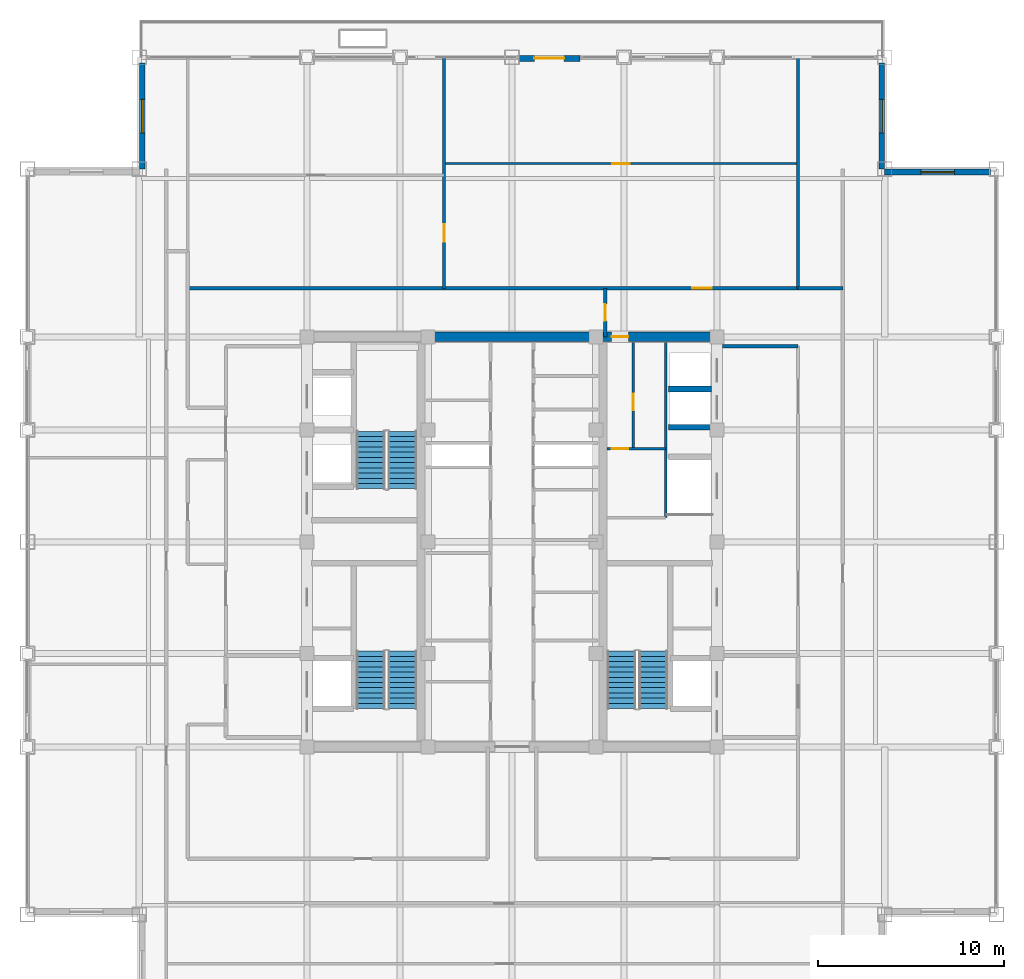
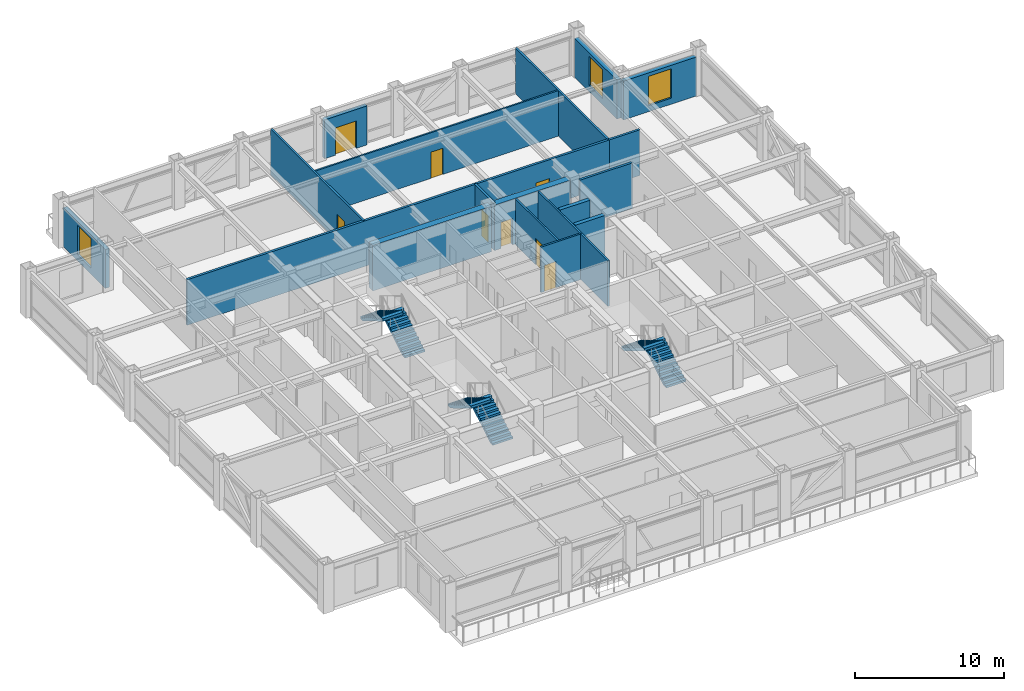
# One storey, part 27 of 30: 18 walls, 8 doors, 6 stair flights, 3 windows, 11 openings, 3 elements without a shape of their own.
"""IFC4 building model written with IfcOpenShell, lengths in metres."""

from ifc_helpers import new_model, si_unit, direction, frame, frame_2d, origin, place, context, subcontext, project, spatial, polyline, rectangle, outline, extrude, source, transform, mapped, material, layer, layer_set, type_object, element, fill, aggregate, save


model = new_model("IFC4")

# Units and contexts
model_context = context("Model", 3, precision=1e-05, world=origin(), true_north=direction((0.0, 1.0)))
body_context = subcontext(model_context, "Body", "Model", "MODEL_VIEW")
ifc_project = project(units=[si_unit("LENGTHUNIT", "METRE"), si_unit("AREAUNIT", "SQUARE_METRE"), si_unit("VOLUMEUNIT", "CUBIC_METRE"), si_unit("PLANEANGLEUNIT", "RADIAN"), si_unit("MASSUNIT", "GRAM", prefix="KILO")], contexts=[model_context])

# Site, building, storey
site_placement = place(None, origin())
site = spatial("IfcSite", under=ifc_project, at=site_placement, CompositionType="ELEMENT")
building_placement = place(site_placement, origin())
building = spatial("IfcBuilding", under=site, at=building_placement, Name="Khorayat Bourse Tower", CompositionType="ELEMENT")
storey_placement = place(building_placement, frame((0.0, 0.0, 326.300048828125)))
storey = spatial("IfcBuildingStorey", under=building, at=storey_placement, Name="L77", CompositionType="ELEMENT", Elevation=326.300048828125)

# Wall, opening, door
ifc_material_1 = material(Name="Concrete C52/65", Category="concrete")
ifc_layer_1 = layer(ifc_material_1, 0.5)
ifc_layer_set_1 = layer_set([ifc_layer_1], Name="Concrete C52/65")
wall_type_1 = type_object("IfcWallType", Name="WAL-CORE-500", PredefinedType="SHEAR", material=ifc_layer_set_1)
shared_shape_1 = source(origin(), body_context, "Body", "SweptSolid", [
    extrude(rectangle(XDim=5.89990234375, YDim=0.5, at=frame_2d((2.949951171875, 0.0))), origin(), (0.0, 0.0, 1.0), 3.739990234375),
])
wall_1_placement = place(storey_placement, frame((4.85009765625, 11.0, 0.0), z_axis=(0.0, 0.0, 1.0), x_axis=(1.0, 0.0, 0.0)))
wall_1 = element("IfcWall", 1, at=wall_1_placement, inside=storey, type_object=wall_type_1, Name="L77 Core Shear Wall PIER-EN", PredefinedType="SHEAR", context=body_context, shape_type="MappedRepresentation", body=[
    mapped(shared_shape_1, transform((0.0, 0.0, 0.0), scale=1.0)),
])
shared_shape_2 = source(origin(), body_context, "Body", "SweptSolid", [
    extrude(rectangle(XDim=0.89990234375, YDim=2.14990234375, at=frame_2d((0.449951171875, 1.074951171875))), frame((0.0, 0.260009765625, 0.0), z_axis=(0.0, -1.0, 0.0), x_axis=(1.0, 0.0, 0.0)), (0.0, 0.0, 1.0), 0.52001953125),
])
opening_1_placement = place(wall_1_placement, frame((0.5, 0.0, 0.0)))
opening_1 = element("IfcOpeningElement", 2, at=opening_1_placement, cuts=wall_1, Name="Opening DI-06", PredefinedType="OPENING", context=body_context, shape_type="MappedRepresentation", body=[
    mapped(shared_shape_2, transform((0.0, 0.0, 0.0), scale=1.0)),
])
ifc_material_2 = material(Name="Moisture-resistant laminate washroom door")
door_type_1 = type_object("IfcDoorType", Name="DR-INT-WC-900", OperationType="NOTDEFINED", PredefinedType="DOOR", material=ifc_material_2)
shared_shape_3 = source(origin(), body_context, "Body", "SweptSolid", [
    extrude(rectangle(XDim=0.89990234375, YDim=2.14990234375, at=frame_2d((0.449951171875, 1.074951171875))), frame((0.0, 0.02490234375, 0.0), z_axis=(0.0, -1.0, 0.0), x_axis=(1.0, 0.0, 0.0)), (0.0, 0.0, 1.0), 0.050048828125),
])
door_1_placement = place(opening_1_placement, origin())
door_1 = element("IfcDoor", 3, at=door_1_placement, inside=storey, type_object=door_type_1, Name="L77 Core Washroom Lobby Door", OperationType="SINGLE_SWING_LEFT", OverallHeight=2.14990234375, OverallWidth=0.89990234375, PredefinedType="DOOR", context=body_context, shape_type="MappedRepresentation", body=[
    mapped(shared_shape_3, transform((0.0, 0.0, 0.0), scale=1.0)),
])
fill(opening_1, door_1)

# Wall
shared_shape_4 = source(origin(), body_context, "Body", "SweptSolid", [
    extrude(rectangle(XDim=9.2001953125, YDim=0.5, at=frame_2d((4.60009765625, 0.0))), origin(), (0.0, 0.0, 1.0), 3.739990234375),
])
wall_2_placement = place(storey_placement, frame((-4.60009765625, 11.0, 0.0), z_axis=(0.0, 0.0, 1.0), x_axis=(1.0, 0.0, 0.0)))
element("IfcWall", 4, at=wall_2_placement, inside=storey, type_object=wall_type_1, Name="L77 Core Shear Wall CORE-N", PredefinedType="SHEAR", context=body_context, shape_type="MappedRepresentation", body=[
    mapped(shared_shape_4, transform((0.0, 0.0, 0.0), scale=1.0)),
])

# Wall, opening, window
ifc_material_3 = material(Name="Precast concrete C45/55", Category="concrete")
ifc_layer_2 = layer(ifc_material_3, 0.320068359375)
ifc_layer_set_2 = layer_set([ifc_layer_2], Name="Precast concrete C45/55")
wall_type_2 = type_object("IfcWallType", Name="WAL-EXT-STONE-320", PredefinedType="STANDARD", material=ifc_layer_set_2)
shared_shape_5 = source(origin(), body_context, "Body", "SweptSolid", [
    extrude(rectangle(XDim=5.679931640625, YDim=0.320068359375, at=frame_2d((2.83984375, 0.0))), origin(), (0.0, 0.0, 1.0), 3.19091796875),
])
wall_3_placement = place(storey_placement, frame((20.0, 19.840087890625, 0.0), z_axis=(0.0, 0.0, 1.0), x_axis=(1.0, 0.0, 0.0)))
wall_3 = element("IfcWall", 5, at=wall_3_placement, inside=storey, type_object=wall_type_2, Name="L77 Re-Entrant Notch Limestone Wall NE-H", PredefinedType="STANDARD", context=body_context, shape_type="MappedRepresentation", body=[
    mapped(shared_shape_5, transform((0.0, 0.0, 0.0), scale=1.0)),
])
shared_shape_6 = source(origin(), body_context, "Body", "SweptSolid", [
    extrude(rectangle(XDim=1.800048828125, YDim=2.39990234375, at=frame_2d((0.89990234375, 1.199951171875))), frame((0.0, 0.169921875, 0.0), z_axis=(0.0, -1.0, 0.0), x_axis=(1.0, 0.0, 0.0)), (0.0, 0.0, 1.0), 0.340087890625),
])
opening_2_placement = place(wall_3_placement, frame((1.93994140625, 0.0, 0.5)))
opening_2 = element("IfcOpeningElement", 6, at=opening_2_placement, cuts=wall_3, Name="Opening WN-04", PredefinedType="OPENING", context=body_context, shape_type="MappedRepresentation", body=[
    mapped(shared_shape_6, transform((0.0, 0.0, 0.0), scale=1.0)),
])
ifc_material_4 = material(Name="Low-E acoustic laminated double glazing", Category="glass")
window_type = type_object("IfcWindowType", Name="WIN-NOTCH-1800x2400", PartitioningType="SINGLE_PANEL", PredefinedType="WINDOW", material=ifc_material_4)
shared_shape_7 = source(origin(), body_context, "Body", "SweptSolid", [
    extrude(rectangle(XDim=1.800048828125, YDim=2.39990234375, at=frame_2d((0.89990234375, 1.199951171875))), frame((0.0, 0.030029296875, 0.0), z_axis=(0.0, -1.0, 0.0), x_axis=(1.0, 0.0, 0.0)), (0.0, 0.0, 1.0), 0.06005859375),
])
window_1_placement = place(opening_2_placement, origin())
window_1 = element("IfcWindow", 7, at=window_1_placement, inside=storey, type_object=window_type, Name="L77 Facade Window 1", OverallHeight=2.39990234375, OverallWidth=1.800048828125, PartitioningType="SINGLE_PANEL", PredefinedType="WINDOW", context=body_context, shape_type="MappedRepresentation", body=[
    mapped(shared_shape_7, transform((0.0, 0.0, 0.0), scale=1.0)),
])
fill(opening_2, window_1)

wall_4_placement = place(storey_placement, frame((19.840087890625, 20.0, 0.0), z_axis=(0.0, 0.0, 1.0), x_axis=(0.0, 1.0, 0.0)))
wall_4 = element("IfcWall", 8, at=wall_4_placement, inside=storey, type_object=wall_type_2, Name="L77 Re-Entrant Notch Limestone Wall NE-V", PredefinedType="STANDARD", context=body_context, shape_type="MappedRepresentation", body=[
    mapped(shared_shape_5, transform((0.0, 0.0, 0.0), scale=1.0)),
])
opening_3_placement = place(wall_4_placement, frame((1.93994140625, 0.0, 0.5)))
opening_3 = element("IfcOpeningElement", 9, at=opening_3_placement, cuts=wall_4, Name="Opening WN-04", PredefinedType="OPENING", context=body_context, shape_type="MappedRepresentation", body=[
    mapped(shared_shape_6, transform((0.0, 0.0, 0.0), scale=1.0)),
])
window_2_placement = place(opening_3_placement, origin())
window_2 = element("IfcWindow", 10, at=window_2_placement, inside=storey, type_object=window_type, Name="L77 Facade Window 1", OverallHeight=2.39990234375, OverallWidth=1.800048828125, PartitioningType="SINGLE_PANEL", PredefinedType="WINDOW", context=body_context, shape_type="MappedRepresentation", body=[
    mapped(shared_shape_7, transform((0.0, 0.0, 0.0), scale=1.0)),
])
fill(opening_3, window_2)

wall_5_placement = place(storey_placement, frame((-19.840087890625, 20.0, 0.0), z_axis=(0.0, 0.0, 1.0), x_axis=(0.0, 1.0, 0.0)))
wall_5 = element("IfcWall", 11, at=wall_5_placement, inside=storey, type_object=wall_type_2, Name="L77 Re-Entrant Notch Limestone Wall NW-V", PredefinedType="STANDARD", context=body_context, shape_type="MappedRepresentation", body=[
    mapped(shared_shape_5, transform((0.0, 0.0, 0.0), scale=1.0)),
])
opening_4_placement = place(wall_5_placement, frame((1.93994140625, 0.0, 0.5)))
opening_4 = element("IfcOpeningElement", 12, at=opening_4_placement, cuts=wall_5, Name="Opening WN-04", PredefinedType="OPENING", context=body_context, shape_type="MappedRepresentation", body=[
    mapped(shared_shape_6, transform((0.0, 0.0, 0.0), scale=1.0)),
])
window_3_placement = place(opening_4_placement, origin())
window_3 = element("IfcWindow", 13, at=window_3_placement, inside=storey, type_object=window_type, Name="L77 Facade Window 1", OverallHeight=2.39990234375, OverallWidth=1.800048828125, PartitioningType="SINGLE_PANEL", PredefinedType="WINDOW", context=body_context, shape_type="MappedRepresentation", body=[
    mapped(shared_shape_7, transform((0.0, 0.0, 0.0), scale=1.0)),
])
fill(opening_4, window_3)

# Wall, opening, door
shared_shape_8 = source(origin(), body_context, "Body", "SweptSolid", [
    extrude(rectangle(XDim=3.2998046875, YDim=0.320068359375, at=frame_2d((1.64990234375, 0.0))), origin(), (0.0, 0.0, 1.0), 3.19091796875),
])
wall_6_placement = place(storey_placement, frame((0.35009765625, 25.9423828125, 0.0), z_axis=(0.0, 0.0, 1.0), x_axis=(1.0, 0.0, 0.0)))
wall_6 = element("IfcWall", 14, at=wall_6_placement, inside=storey, type_object=wall_type_2, Name="L77 Exterior Limestone Wall WAL-L77-TDPORT-N1", PredefinedType="STANDARD", context=body_context, shape_type="MappedRepresentation", body=[
    mapped(shared_shape_8, transform((0.0, 0.0, 0.0), scale=1.0)),
])
shared_shape_9 = source(origin(), body_context, "Body", "SweptSolid", [
    extrude(rectangle(XDim=1.60009765625, YDim=2.25, at=frame_2d((0.800048828125, 1.125))), frame((0.0, 0.169921875, 0.0), z_axis=(0.0, -1.0, 0.0), x_axis=(1.0, 0.0, 0.0)), (0.0, 0.0, 1.0), 0.340087890625),
])
opening_5_placement = place(wall_6_placement, frame((0.85009765625, 0.0, 0.0)))
opening_5 = element("IfcOpeningElement", 15, at=opening_5_placement, cuts=wall_6, Name="Opening DE-04", PredefinedType="OPENING", context=body_context, shape_type="MappedRepresentation", body=[
    mapped(shared_shape_9, transform((0.0, 0.0, 0.0), scale=1.0)),
])
ifc_material_5 = material(Name="Thermally broken aluminium terrace double door", Category="aluminium")
door_type_2 = type_object("IfcDoorType", Name="DR-EXT-TERR-1600", OperationType="NOTDEFINED", PredefinedType="DOOR", material=ifc_material_5)
shared_shape_10 = source(origin(), body_context, "Body", "SweptSolid", [
    extrude(rectangle(XDim=1.60009765625, YDim=2.25, at=frame_2d((0.800048828125, 1.125))), frame((0.0, 0.02490234375, 0.0), z_axis=(0.0, -1.0, 0.0), x_axis=(1.0, 0.0, 0.0)), (0.0, 0.0, 1.0), 0.050048828125),
])
door_2_placement = place(opening_5_placement, origin())
door_2 = element("IfcDoor", 16, at=door_2_placement, inside=storey, type_object=door_type_2, Name="L77 North Setback Terrace Door", OperationType="DOUBLE_DOOR_SINGLE_SWING", OverallHeight=2.25, OverallWidth=1.60009765625, PredefinedType="DOOR", context=body_context, shape_type="MappedRepresentation", body=[
    mapped(shared_shape_10, transform((0.0, 0.0, 0.0), scale=1.0)),
])
fill(opening_5, door_2)

# Walls
ifc_material_6 = material(Name="Concrete C50/60", Category="concrete")
ifc_layer_3 = layer(ifc_material_6, 0.300048828125)
ifc_layer_set_3 = layer_set([ifc_layer_3], Name="Concrete C50/60")
wall_type_3 = type_object("IfcWallType", Name="WAL-SHAFT-300", PredefinedType="SHEAR", material=ifc_layer_set_3)
shared_shape_11 = source(origin(), body_context, "Body", "SweptSolid", [
    extrude(rectangle(XDim=2.300048828125, YDim=0.300048828125, at=frame_2d((1.14990234375, 0.0))), origin(), (0.0, 0.0, 1.0), 3.739990234375),
])
for number, where, z_axis, x_axis, name in (
    (17, (8.39990234375, 6.14990234375, 0.0), (0.0, 0.0, 1.0), (1.0, 0.0, 0.0), "L77 Partition WAL-L77-EPIER-H3S"),
    (18, (8.39990234375, 8.199951171875, 0.0), (0.0, 0.0, 1.0), (1.0, 0.0, 0.0), "L77 Partition WAL-L77-EPIER-H34"),
):
    element("IfcWall", number, at=place(storey_placement, frame(where, z_axis=z_axis, x_axis=x_axis)), inside=storey, type_object=wall_type_3, Name=name, PredefinedType="SHEAR", context=body_context, shape_type="MappedRepresentation", body=[
        mapped(shared_shape_11, transform((0.0, 0.0, 0.0), scale=1.0)),
    ])
ifc_material_7 = material(Name="Moisture-resistant masonry partition", Category="masonry")
ifc_layer_4 = layer(ifc_material_7, 0.139892578125)
ifc_layer_set_4 = layer_set([ifc_layer_4], Name="Moisture-resistant masonry partition")
wall_type_4 = type_object("IfcWallType", Name="WAL-PART-WET-140", PredefinedType="PARTITIONING", material=ifc_layer_set_4)
shared_shape_12 = source(origin(), body_context, "Body", "SweptSolid", [
    extrude(rectangle(XDim=9.39990234375, YDim=0.139892578125, at=frame_2d((4.699951171875, 0.0))), origin(), (0.0, 0.0, 1.0), 3.739990234375),
])
wall_7_placement = place(storey_placement, frame((8.25, 1.300048828125, 0.0), z_axis=(0.0, 0.0, 1.0), x_axis=(0.0, 1.0, 0.0)))
element("IfcWall", 19, at=wall_7_placement, inside=storey, type_object=wall_type_4, Name="L77 Partition WAL-L77-ECORE-E", PredefinedType="PARTITIONING", context=body_context, shape_type="MappedRepresentation", body=[
    mapped(shared_shape_12, transform((0.0, 0.0, 0.0), scale=1.0)),
])

# Wall, opening, door
shared_shape_13 = source(origin(), body_context, "Body", "SweptSolid", [
    extrude(rectangle(XDim=3.14990234375, YDim=0.139892578125, at=frame_2d((1.574951171875, 0.0))), origin(), (0.0, 0.0, 1.0), 3.739990234375),
])
wall_8_placement = place(storey_placement, frame((5.10009765625, 5.0, 0.0), z_axis=(0.0, 0.0, 1.0), x_axis=(1.0, 0.0, 0.0)))
wall_8 = element("IfcWall", 20, at=wall_8_placement, inside=storey, type_object=wall_type_4, Name="L77 Partition WAL-L77-ECW-BOT", PredefinedType="PARTITIONING", context=body_context, shape_type="MappedRepresentation", body=[
    mapped(shared_shape_13, transform((0.0, 0.0, 0.0), scale=1.0)),
])
shared_shape_14 = source(origin(), body_context, "Body", "SweptSolid", [
    extrude(rectangle(XDim=0.89990234375, YDim=2.14990234375, at=frame_2d((0.449951171875, 1.074951171875))), frame((0.0, 0.079833984375, 0.0), z_axis=(0.0, -1.0, 0.0), x_axis=(1.0, 0.0, 0.0)), (0.0, 0.0, 1.0), 0.159912109375),
])
opening_6_placement = place(wall_8_placement, frame((0.25, 0.0, 0.0)))
opening_6 = element("IfcOpeningElement", 21, at=opening_6_placement, cuts=wall_8, Name="Opening DI-06", PredefinedType="OPENING", context=body_context, shape_type="MappedRepresentation", body=[
    mapped(shared_shape_14, transform((0.0, 0.0, 0.0), scale=1.0)),
])
door_3_placement = place(opening_6_placement, origin())
door_3 = element("IfcDoor", 22, at=door_3_placement, inside=storey, type_object=door_type_1, Name="L77 Shared Washroom Door", OperationType="SINGLE_SWING_LEFT", OverallHeight=2.14990234375, OverallWidth=0.89990234375, PredefinedType="DOOR", context=body_context, shape_type="MappedRepresentation", body=[
    mapped(shared_shape_3, transform((0.0, 0.0, 0.0), scale=1.0)),
])
fill(opening_6, door_3)

shared_shape_15 = source(origin(), body_context, "Body", "SweptSolid", [
    extrude(rectangle(XDim=5.699951171875, YDim=0.139892578125, at=frame_2d((2.85009765625, 0.0))), origin(), (0.0, 0.0, 1.0), 3.739990234375),
])
wall_9_placement = place(storey_placement, frame((6.5, 5.0, 0.0), z_axis=(0.0, 0.0, 1.0), x_axis=(0.0, 1.0, 0.0)))
wall_9 = element("IfcWall", 23, at=wall_9_placement, inside=storey, type_object=wall_type_4, Name="L77 Partition WAL-L77-ECW-MID", PredefinedType="PARTITIONING", context=body_context, shape_type="MappedRepresentation", body=[
    mapped(shared_shape_15, transform((0.0, 0.0, 0.0), scale=1.0)),
])
opening_7_placement = place(wall_9_placement, frame((2.050048828125, 0.0, 0.0)))
opening_7 = element("IfcOpeningElement", 24, at=opening_7_placement, cuts=wall_9, Name="Opening DI-06", PredefinedType="OPENING", context=body_context, shape_type="MappedRepresentation", body=[
    mapped(shared_shape_14, transform((0.0, 0.0, 0.0), scale=1.0)),
])
door_4_placement = place(opening_7_placement, origin())
door_4 = element("IfcDoor", 25, at=door_4_placement, inside=storey, type_object=door_type_1, Name="L77 Accessible WC Door", OperationType="SINGLE_SWING_RIGHT", OverallHeight=2.14990234375, OverallWidth=0.89990234375, PredefinedType="DOOR", context=body_context, shape_type="MappedRepresentation", body=[
    mapped(shared_shape_3, transform((0.0, 0.0, 0.0), scale=1.0)),
])
fill(opening_7, door_4)

# Wall
ifc_material_8 = material(Name="Gypsum plasterboard acoustic stud wall")
ifc_layer_5 = layer(ifc_material_8, 0.179931640625)
ifc_layer_set_5 = layer_set([ifc_layer_5], Name="Gypsum plasterboard acoustic stud wall")
wall_type_5 = type_object("IfcWallType", Name="WAL-PART-CORR-180", PredefinedType="PARTITIONING", material=ifc_layer_set_5)
shared_shape_16 = source(origin(), body_context, "Body", "SweptSolid", [
    extrude(rectangle(XDim=4.050048828125, YDim=0.179931640625, at=frame_2d((2.02490234375, 0.0))), origin(), (0.0, 0.0, 1.0), 3.739990234375),
])
wall_10_placement = place(storey_placement, frame((11.300048828125, 10.5, 0.0), z_axis=(0.0, 0.0, 1.0), x_axis=(1.0, 0.0, 0.0)))
element("IfcWall", 26, at=wall_10_placement, inside=storey, type_object=wall_type_5, Name="L77 Partition WAL-L77-ELOB-N", PredefinedType="PARTITIONING", context=body_context, shape_type="MappedRepresentation", body=[
    mapped(shared_shape_16, transform((0.0, 0.0, 0.0), scale=1.0)),
])

# Wall, opening, door
shared_shape_17 = source(origin(), body_context, "Body", "SweptSolid", [
    extrude(rectangle(XDim=2.60009765625, YDim=0.179931640625, at=frame_2d((1.300048828125, 0.0))), origin(), (0.0, 0.0, 1.0), 3.739990234375),
])
wall_11_placement = place(storey_placement, frame((5.0, 11.0, 0.0), z_axis=(0.0, 0.0, 1.0), x_axis=(0.0, 1.0, 0.0)))
wall_11 = element("IfcWall", 27, at=wall_11_placement, inside=storey, type_object=wall_type_5, Name="L77 Partition WAL-L77-CORRNE-W", PredefinedType="PARTITIONING", context=body_context, shape_type="MappedRepresentation", body=[
    mapped(shared_shape_17, transform((0.0, 0.0, 0.0), scale=1.0)),
])
shared_shape_18 = source(origin(), body_context, "Body", "SweptSolid", [
    extrude(rectangle(XDim=0.89990234375, YDim=2.14990234375, at=frame_2d((0.449951171875, 1.074951171875))), frame((0.0, 0.099853515625, 0.0), z_axis=(0.0, -1.0, 0.0), x_axis=(1.0, 0.0, 0.0)), (0.0, 0.0, 1.0), 0.199951171875),
])
opening_8_placement = place(wall_11_placement, frame((0.85009765625, 0.0, 0.0)))
opening_8 = element("IfcOpeningElement", 28, at=opening_8_placement, cuts=wall_11, Name="Opening DI-06", PredefinedType="OPENING", context=body_context, shape_type="MappedRepresentation", body=[
    mapped(shared_shape_18, transform((0.0, 0.0, 0.0), scale=1.0)),
])
door_5_placement = place(opening_8_placement, origin())
door_5 = element("IfcDoor", 29, at=door_5_placement, inside=storey, type_object=door_type_1, Name="L77 North Core Pantry Door", OperationType="SINGLE_SWING_LEFT", OverallHeight=2.14990234375, OverallWidth=0.89990234375, PredefinedType="DOOR", context=body_context, shape_type="MappedRepresentation", body=[
    mapped(shared_shape_3, transform((0.0, 0.0, 0.0), scale=1.0)),
])
fill(opening_8, door_5)

# Wall
shared_shape_19 = source(origin(), body_context, "Body", "SweptSolid", [
    extrude(rectangle(XDim=2.39990234375, YDim=0.179931640625, at=frame_2d((1.199951171875, 0.0))), origin(), (0.0, 0.0, 1.0), 3.739990234375),
])
wall_12_placement = place(storey_placement, frame((15.35009765625, 13.60009765625, 0.0), z_axis=(0.0, 0.0, 1.0), x_axis=(1.0, 0.0, 0.0)))
element("IfcWall", 30, at=wall_12_placement, inside=storey, type_object=wall_type_5, Name="L77 Partition WAL-L77-GALE-N", PredefinedType="PARTITIONING", context=body_context, shape_type="MappedRepresentation", body=[
    mapped(shared_shape_19, transform((0.0, 0.0, 0.0), scale=1.0)),
])

# Wall, opening, door
ifc_material_9 = material(Name="Gypsum plasterboard twin-frame partition")
ifc_layer_6 = layer(ifc_material_9, 0.14990234375)
ifc_layer_set_6 = layer_set([ifc_layer_6], Name="Gypsum plasterboard twin-frame partition")
wall_type_6 = type_object("IfcWallType", Name="WAL-PART-SUITE-150", PredefinedType="PARTITIONING", material=ifc_layer_set_6)
shared_shape_20 = source(origin(), body_context, "Body", "SweptSolid", [
    extrude(rectangle(XDim=12.39990234375, YDim=0.14990234375, at=frame_2d((6.199951171875, 0.0))), origin(), (0.0, 0.0, 1.0), 3.739990234375),
])
wall_13_placement = place(storey_placement, frame((-3.64501953125, 13.60009765625, 0.0), z_axis=(0.0, 0.0, 1.0), x_axis=(0.0, 1.0, 0.0)))
wall_13 = element("IfcWall", 31, at=wall_13_placement, inside=storey, type_object=wall_type_6, Name="L77 Partition WAL-L77-NDV-1", PredefinedType="PARTITIONING", context=body_context, shape_type="MappedRepresentation", body=[
    mapped(shared_shape_20, transform((0.0, 0.0, 0.0), scale=1.0)),
])
shared_shape_21 = source(origin(), body_context, "Body", "SweptSolid", [
    extrude(rectangle(XDim=0.949951171875, YDim=2.14990234375, at=frame_2d((0.47509765625, 1.074951171875))), frame((0.0, 0.0849609375, 0.0), z_axis=(0.0, -1.0, 0.0), x_axis=(1.0, 0.0, 0.0)), (0.0, 0.0, 1.0), 0.169921875),
])
opening_9_placement = place(wall_13_placement, frame((2.5009765625, 0.0, 0.0)))
opening_9 = element("IfcOpeningElement", 32, at=opening_9_placement, cuts=wall_13, Name="Opening DI-05", PredefinedType="OPENING", context=body_context, shape_type="MappedRepresentation", body=[
    mapped(shared_shape_21, transform((0.0, 0.0, 0.0), scale=1.0)),
])
ifc_material_10 = material(Name="Acoustic oak veneer office door")
door_type_3 = type_object("IfcDoorType", Name="DR-INT-OFFICE-950", OperationType="NOTDEFINED", PredefinedType="DOOR", material=ifc_material_10)
shared_shape_22 = source(origin(), body_context, "Body", "SweptSolid", [
    extrude(rectangle(XDim=0.949951171875, YDim=2.14990234375, at=frame_2d((0.47509765625, 1.074951171875))), frame((0.0, 0.02490234375, 0.0), z_axis=(0.0, -1.0, 0.0), x_axis=(1.0, 0.0, 0.0)), (0.0, 0.0, 1.0), 0.050048828125),
])
door_6_placement = place(opening_9_placement, origin())
door_6 = element("IfcDoor", 33, at=door_6_placement, inside=storey, type_object=door_type_3, Name="L77 N Suite Link 1", OperationType="SINGLE_SWING_RIGHT", OverallHeight=2.14990234375, OverallWidth=0.949951171875, PredefinedType="DOOR", context=body_context, shape_type="MappedRepresentation", body=[
    mapped(shared_shape_22, transform((0.0, 0.0, 0.0), scale=1.0)),
])
fill(opening_9, door_6)

# Wall
wall_14_placement = place(storey_placement, frame((15.35009765625, 13.60009765625, 0.0), z_axis=(0.0, 0.0, 1.0), x_axis=(0.0, 1.0, 0.0)))
element("IfcWall", 34, at=wall_14_placement, inside=storey, type_object=wall_type_6, Name="L77 Partition WAL-L77-NCE-END", PredefinedType="PARTITIONING", context=body_context, shape_type="MappedRepresentation", body=[
    mapped(shared_shape_20, transform((0.0, 0.0, 0.0), scale=1.0)),
])

# Wall, opening, door
ifc_material_11 = material(Name="Gypsum plasterboard partition")
ifc_layer_7 = layer(ifc_material_11, 0.125)
ifc_layer_set_7 = layer_set([ifc_layer_7], Name="Gypsum plasterboard partition")
wall_type_7 = type_object("IfcWallType", Name="WAL-PART-ROOM-125", PredefinedType="PARTITIONING", material=ifc_layer_set_7)
shared_shape_23 = source(origin(), body_context, "Body", "SweptSolid", [
    extrude(rectangle(XDim=18.9951171875, YDim=0.125, at=frame_2d((9.49755859375, 0.0))), origin(), (0.0, 0.0, 1.0), 3.739990234375),
])
wall_15_placement = place(storey_placement, frame((-3.64501953125, 20.2958984375, 0.0), z_axis=(0.0, 0.0, 1.0), x_axis=(1.0, 0.0, 0.0)))
wall_15 = element("IfcWall", 35, at=wall_15_placement, inside=storey, type_object=wall_type_7, Name="L77 Partition WAL-L77-NDP-2", PredefinedType="PARTITIONING", context=body_context, shape_type="MappedRepresentation", body=[
    mapped(shared_shape_23, transform((0.0, 0.0, 0.0), scale=1.0)),
])
shared_shape_24 = source(origin(), body_context, "Body", "SweptSolid", [
    extrude(rectangle(XDim=0.949951171875, YDim=2.14990234375, at=frame_2d((0.47509765625, 1.074951171875))), frame((0.0, 0.072509765625, 0.0), z_axis=(0.0, -1.0, 0.0), x_axis=(1.0, 0.0, 0.0)), (0.0, 0.0, 1.0), 0.14501953125),
])
opening_10_placement = place(wall_15_placement, frame((9.0224609375, 0.0, 0.0)))
opening_10 = element("IfcOpeningElement", 36, at=opening_10_placement, cuts=wall_15, Name="Opening DI-05", PredefinedType="OPENING", context=body_context, shape_type="MappedRepresentation", body=[
    mapped(shared_shape_24, transform((0.0, 0.0, 0.0), scale=1.0)),
])
door_7_placement = place(opening_10_placement, origin())
door_7 = element("IfcDoor", 37, at=door_7_placement, inside=storey, type_object=door_type_3, Name="L77 Clearing Operations Office N2B Door", OperationType="SINGLE_SWING_LEFT", OverallHeight=2.14990234375, OverallWidth=0.949951171875, PredefinedType="DOOR", context=body_context, shape_type="MappedRepresentation", body=[
    mapped(shared_shape_22, transform((0.0, 0.0, 0.0), scale=1.0)),
])
fill(opening_10, door_7)

shared_shape_25 = source(origin(), body_context, "Body", "SweptSolid", [
    extrude(rectangle(XDim=32.75, YDim=0.179931640625, at=frame_2d((16.375, 0.0))), origin(), (0.0, 0.0, 1.0), 3.739990234375),
])
wall_16_placement = place(storey_placement, frame((-17.39990234375, 13.60009765625, 0.0), z_axis=(0.0, 0.0, 1.0), x_axis=(1.0, 0.0, 0.0)))
wall_16 = element("IfcWall", 38, at=wall_16_placement, inside=storey, type_object=wall_type_5, Name="L77 Partition WAL-L77-NCORR", PredefinedType="PARTITIONING", context=body_context, shape_type="MappedRepresentation", body=[
    mapped(shared_shape_25, transform((0.0, 0.0, 0.0), scale=1.0)),
])
shared_shape_26 = source(origin(), body_context, "Body", "SweptSolid", [
    extrude(rectangle(XDim=1.050048828125, YDim=2.199951171875, at=frame_2d((0.52490234375, 1.10009765625))), frame((0.0, 0.099853515625, 0.0), z_axis=(0.0, -1.0, 0.0), x_axis=(1.0, 0.0, 0.0)), (0.0, 0.0, 1.0), 0.199951171875),
])
opening_11_placement = place(wall_16_placement, frame((27.074951171875, 0.0, 0.0)))
opening_11 = element("IfcOpeningElement", 39, at=opening_11_placement, cuts=wall_16, Name="Opening DI-04", PredefinedType="OPENING", context=body_context, shape_type="MappedRepresentation", body=[
    mapped(shared_shape_26, transform((0.0, 0.0, 0.0), scale=1.0)),
])
ifc_material_12 = material(Name="Fire-rated oak veneer suite entrance door")
door_type_4 = type_object("IfcDoorType", Name="DR-INT-SUITE-1050", OperationType="NOTDEFINED", PredefinedType="DOOR", material=ifc_material_12)
shared_shape_27 = source(origin(), body_context, "Body", "SweptSolid", [
    extrude(rectangle(XDim=1.050048828125, YDim=2.199951171875, at=frame_2d((0.52490234375, 1.10009765625))), frame((0.0, 0.02490234375, 0.0), z_axis=(0.0, -1.0, 0.0), x_axis=(1.0, 0.0, 0.0)), (0.0, 0.0, 1.0), 0.050048828125),
])
door_8_placement = place(opening_11_placement, origin())
door_8 = element("IfcDoor", 40, at=door_8_placement, inside=storey, type_object=door_type_4, Name="L77 Financial Training Classroom N2 Door", OperationType="SINGLE_SWING_LEFT", OverallHeight=2.199951171875, OverallWidth=1.050048828125, PredefinedType="DOOR", context=body_context, shape_type="MappedRepresentation", body=[
    mapped(shared_shape_27, transform((0.0, 0.0, 0.0), scale=1.0)),
])
fill(opening_11, door_8)

# Stair, stair flights
ifc_material_13 = material(Name="Concrete C40/50", Category="concrete")
stair_type = type_object("IfcStairType", Name="STR-CORE-1550", PredefinedType="HALF_TURN_STAIR", material=ifc_material_13)
stair_1_placement = place(storey_placement, origin())
stair_1 = element("IfcStair", 41, at=stair_1_placement, inside=storey, type_object=stair_type, Name="L77 Exit Stair ST-1", PredefinedType="HALF_TURN_STAIR")
stair_flight_type = type_object("IfcStairFlightType", Name="FLT-CORE-1550", PredefinedType="STRAIGHT", material=ifc_material_13)
shared_shape_28 = source(origin(), body_context, "Body", "SweptSolid", [
    extrude(outline(polyline([(0.0, 0.0), (0.0, 0.166748046875), (0.280029296875, 0.166748046875), (0.280029296875, 0.333251953125), (0.56005859375, 0.333251953125), (0.56005859375, 0.5), (0.840087890625, 0.5), (0.840087890625, 0.666748046875), (1.1201171875, 0.666748046875), (1.1201171875, 0.833251953125), (1.39990234375, 0.833251953125), (1.39990234375, 1.0), (1.679931640625, 1.0), (1.679931640625, 1.166748046875), (1.9599609375, 1.166748046875), (1.9599609375, 1.333251953125), (2.239990234375, 1.333251953125), (2.239990234375, 1.5), (2.52001953125, 1.5), (2.52001953125, 1.666748046875), (2.800048828125, 1.666748046875), (2.800048828125, 1.833251953125), (3.080078125, 1.833251953125), (3.080078125, 2.0), (3.080078125, 1.6240234375), (0.351806640625, 0.0), (0.0, 0.0)])), frame((0.0, 0.77490234375, 0.0), z_axis=(0.0, -1.0, 0.0), x_axis=(1.0, 0.0, 0.0)), (0.0, 0.0, 1.0), 1.550048828125),
])
stair_flight_1_placement = place(storey_placement, frame((-5.875, -8.949951171875, 0.0), z_axis=(0.0, 0.0, 1.0), x_axis=(0.0, 1.0, 0.0)))
stair_flight_1 = element("IfcStairFlight", 42, at=stair_flight_1_placement, type_object=stair_flight_type, Name="ST-1 flight 1", NumberOfRisers=12, NumberOfTreads=11, PredefinedType="STRAIGHT", RiserHeight=0.166666667, TreadLength=0.28, context=body_context, shape_type="MappedRepresentation", body=[
    mapped(shared_shape_28, transform((0.0, 0.0, 0.0), scale=1.0)),
])
stair_flight_2_placement = place(storey_placement, frame((-7.574951171875, -5.8701171875, 2.0), z_axis=(0.0, 0.0, 1.0), x_axis=(0.0, -1.0, 0.0)))
stair_flight_2 = element("IfcStairFlight", 43, at=stair_flight_2_placement, type_object=stair_flight_type, Name="ST-1 flight 2", NumberOfRisers=12, NumberOfTreads=11, PredefinedType="STRAIGHT", RiserHeight=0.166666667, TreadLength=0.28, context=body_context, shape_type="MappedRepresentation", body=[
    mapped(shared_shape_28, transform((0.0, 0.0, 0.0), scale=1.0)),
])
aggregate(stair_1, [stair_flight_1, stair_flight_2])

stair_2_placement = place(storey_placement, origin())
stair_2 = element("IfcStair", 44, at=stair_2_placement, inside=storey, type_object=stair_type, Name="L77 Exit Stair ST-2", PredefinedType="HALF_TURN_STAIR")
stair_flight_3_placement = place(storey_placement, frame((-5.875, 2.85009765625, 0.0), z_axis=(0.0, 0.0, 1.0), x_axis=(0.0, 1.0, 0.0)))
stair_flight_3 = element("IfcStairFlight", 45, at=stair_flight_3_placement, type_object=stair_flight_type, Name="ST-2 flight 1", NumberOfRisers=12, NumberOfTreads=11, PredefinedType="STRAIGHT", RiserHeight=0.166666667, TreadLength=0.28, context=body_context, shape_type="MappedRepresentation", body=[
    mapped(shared_shape_28, transform((0.0, 0.0, 0.0), scale=1.0)),
])
stair_flight_4_placement = place(storey_placement, frame((-7.574951171875, 5.929931640625, 2.0), z_axis=(0.0, 0.0, 1.0), x_axis=(0.0, -1.0, 0.0)))
stair_flight_4 = element("IfcStairFlight", 46, at=stair_flight_4_placement, type_object=stair_flight_type, Name="ST-2 flight 2", NumberOfRisers=12, NumberOfTreads=11, PredefinedType="STRAIGHT", RiserHeight=0.166666667, TreadLength=0.28, context=body_context, shape_type="MappedRepresentation", body=[
    mapped(shared_shape_28, transform((0.0, 0.0, 0.0), scale=1.0)),
])
aggregate(stair_2, [stair_flight_3, stair_flight_4])

stair_3_placement = place(storey_placement, origin())
stair_3 = element("IfcStair", 47, at=stair_3_placement, inside=storey, type_object=stair_type, Name="L77 Exit Stair ST-3", PredefinedType="HALF_TURN_STAIR")
stair_flight_5_placement = place(storey_placement, frame((7.574951171875, -8.949951171875, 0.0), z_axis=(0.0, 0.0, 1.0), x_axis=(0.0, 1.0, 0.0)))
stair_flight_5 = element("IfcStairFlight", 48, at=stair_flight_5_placement, type_object=stair_flight_type, Name="ST-3 flight 1", NumberOfRisers=12, NumberOfTreads=11, PredefinedType="STRAIGHT", RiserHeight=0.166666667, TreadLength=0.28, context=body_context, shape_type="MappedRepresentation", body=[
    mapped(shared_shape_28, transform((0.0, 0.0, 0.0), scale=1.0)),
])
stair_flight_6_placement = place(storey_placement, frame((5.875, -5.8701171875, 2.0), z_axis=(0.0, 0.0, 1.0), x_axis=(0.0, -1.0, 0.0)))
stair_flight_6 = element("IfcStairFlight", 49, at=stair_flight_6_placement, type_object=stair_flight_type, Name="ST-3 flight 2", NumberOfRisers=12, NumberOfTreads=11, PredefinedType="STRAIGHT", RiserHeight=0.166666667, TreadLength=0.28, context=body_context, shape_type="MappedRepresentation", body=[
    mapped(shared_shape_28, transform((0.0, 0.0, 0.0), scale=1.0)),
])
aggregate(stair_3, [stair_flight_5, stair_flight_6])

save(model, "model.ifc")
